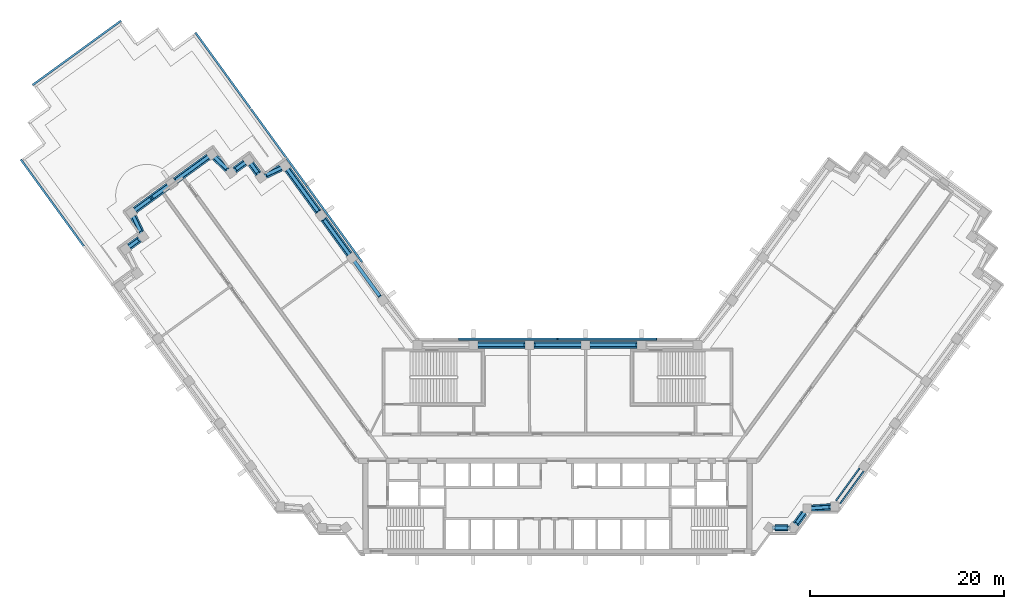
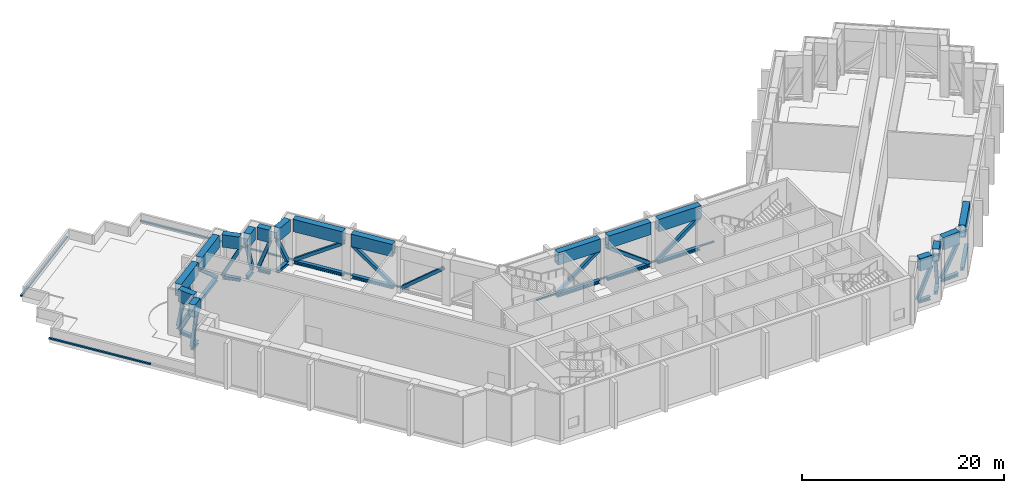
"""IFC4 building model written with IfcOpenShell, lengths in metres."""

from ifc_helpers import new_model, si_unit, direction, frame, origin, origin_2d, place, context, subcontext, project, spatial, rectangle, hollow_rectangle, i_section, extrude, material, material_profile, profile_set, type_object, element, aggregate, save


model = new_model("IFC4")

# Units and contexts
model_context = context("Model", 3, precision=1e-05, world=origin(), true_north=direction((0.0, 1.0)))
body_context = subcontext(model_context, "Body", "Model", "MODEL_VIEW")
ifc_project = project(units=[si_unit("LENGTHUNIT", "METRE"), si_unit("AREAUNIT", "SQUARE_METRE"), si_unit("VOLUMEUNIT", "CUBIC_METRE"), si_unit("PLANEANGLEUNIT", "RADIAN"), si_unit("MASSUNIT", "GRAM", prefix="KILO")], contexts=[model_context])

# Site, building, storey
site_placement = place(None, origin())
site = spatial("IfcSite", under=ifc_project, at=site_placement, CompositionType="ELEMENT")
building_placement = place(site_placement, origin())
building = spatial("IfcBuilding", under=site, at=building_placement, Name="Quipu Civic Tower", CompositionType="ELEMENT")
storey_1_placement = place(building_placement, frame((0.0, 0.0, 133.0)))
storey_1 = spatial("IfcBuildingStorey", under=building, at=storey_1_placement, Name="L31", CompositionType="ELEMENT", Elevation=133.0)

# Beams
ifc_material_1 = material(Name="Steel ASTM A992 Grade 50 (fy 345 MPa)", Category="steel")
ifc_material_profile_1 = material_profile(ifc_material_1, i_section(OverallWidth=0.39892578125, OverallDepth=0.393310546875, WebThickness=0.022705078125, FlangeThickness=0.03662109375, at=origin_2d()), Name="W360x287")
ifc_profile_set_1 = profile_set([ifc_material_profile_1], Name="Steel ASTM A992 Grade 50 (fy 345 MPa)")
beam_type_1 = type_object("IfcBeamType", Name="Belt truss bottom chord W360x287", PredefinedType="BEAM", material=ifc_profile_set_1)
beam_1_placement = place(storey_1_placement, frame((-21.411865234375, 19.807861328125, 0.296630859375), z_axis=(-0.587778073121, 0.809022210299, 0.0), x_axis=(-0.809022210299, -0.587778073121, 0.0)))
element("IfcBeam", 1, at=beam_1_placement, inside=storey_1, type_object=beam_type_1, Name="Truss bottom chord L31 W-IN-02 to W-IN-03", PredefinedType="BEAM", context=body_context, shape_type="SweptSolid", body=[
    extrude(i_section(OverallWidth=0.39892578125, OverallDepth=0.393310546875, WebThickness=0.022705078125, FlangeThickness=0.03662109375, at=origin_2d()), origin(), (0.0, 0.0, 1.0), 4.5),
])
beam_2_placement = place(storey_1_placement, frame((-24.585693359375, 24.1767578125, 0.296630859375), z_axis=(-0.58767640123, 0.809096068114, 0.0), x_axis=(-0.809096068114, -0.58767640123, 0.0)))
element("IfcBeam", 2, at=beam_2_placement, inside=storey_1, type_object=beam_type_1, Name="Truss bottom chord L31 W-IN-03 to T-Wi.0-W34", PredefinedType="BEAM", context=body_context, shape_type="SweptSolid", body=[
    extrude(i_section(OverallWidth=0.39892578125, OverallDepth=0.393310546875, WebThickness=0.022705078125, FlangeThickness=0.03662109375, at=origin_2d()), origin(), (0.0, 0.0, 1.0), 5.39404296875),
])
beam_3_placement = place(storey_1_placement, frame((-28.43310546875, 28.7080078125, 0.296630859375), z_axis=(-0.902567013751, -0.430549399823, 0.0), x_axis=(0.430549399823, -0.902567013751, 0.0)))
element("IfcBeam", 3, at=beam_3_placement, inside=storey_1, type_object=beam_type_1, Name="Truss bottom chord L31 T-Wi.0-W34 to T-Wi.1-W34", PredefinedType="BEAM", context=body_context, shape_type="SweptSolid", body=[
    extrude(i_section(OverallWidth=0.39892578125, OverallDepth=0.393310546875, WebThickness=0.022705078125, FlangeThickness=0.03662109375, at=origin_2d()), origin(), (0.0, 0.0, 1.0), 1.8310546875),
])
beam_4_placement = place(storey_1_placement, frame((-30.763916015625, 28.086181640625, 0.296630859375), z_axis=(-0.589187485143, 0.80799635355, 0.0), x_axis=(-0.80799635355, -0.589187485143, 0.0)))
element("IfcBeam", 4, at=beam_4_placement, inside=storey_1, type_object=beam_type_1, Name="Truss bottom chord L31 T-Wi.1-W34 to T-Wi.2-W34", PredefinedType="BEAM", context=body_context, shape_type="SweptSolid", body=[
    extrude(i_section(OverallWidth=0.39892578125, OverallDepth=0.393310546875, WebThickness=0.022705078125, FlangeThickness=0.03662109375, at=origin_2d()), origin(), (0.0, 0.0, 1.0), 1.2998046875),
])
beam_5_placement = place(storey_1_placement, frame((-32.1591796875, 29.23583984375, 0.296630859375), z_axis=(-0.809402563526, -0.587254195521, 0.0), x_axis=(0.587254195521, -0.809402563526, 0.0)))
element("IfcBeam", 5, at=beam_5_placement, inside=storey_1, type_object=beam_type_1, Name="Truss bottom chord L31 T-Wi.2-W34 to T-Wi.3-W34", PredefinedType="BEAM", context=body_context, shape_type="SweptSolid", body=[
    extrude(i_section(OverallWidth=0.39892578125, OverallDepth=0.393310546875, WebThickness=0.022705078125, FlangeThickness=0.03662109375, at=origin_2d()), origin(), (0.0, 0.0, 1.0), 1.2978515625),
])
beam_6_placement = place(storey_1_placement, frame((-33.90576171875, 28.524658203125, 0.296630859375), z_axis=(-0.725209203815, 0.688528583795, 0.0), x_axis=(-0.688528583795, -0.725209203815, 0.0)))
element("IfcBeam", 6, at=beam_6_placement, inside=storey_1, type_object=beam_type_1, Name="Truss bottom chord L31 T-Wi.3-W34 to T-Wi.4-W34", PredefinedType="BEAM", context=body_context, shape_type="SweptSolid", body=[
    extrude(i_section(OverallWidth=0.39892578125, OverallDepth=0.393310546875, WebThickness=0.022705078125, FlangeThickness=0.03662109375, at=origin_2d()), origin(), (0.0, 0.0, 1.0), 1.830322265625),
])
beam_7_placement = place(storey_1_placement, frame((-35.928955078125, 29.83544921875, 0.296630859375), z_axis=(-0.808969789945, -0.58785021813, 0.0), x_axis=(0.58785021813, -0.808969789945, 0.0)))
element("IfcBeam", 7, at=beam_7_placement, inside=storey_1, type_object=beam_type_1, Name="Truss bottom chord L31 T-Wi.4-W34 to TIP-W-01-W34", PredefinedType="BEAM", context=body_context, shape_type="SweptSolid", body=[
    extrude(i_section(OverallWidth=0.39892578125, OverallDepth=0.393310546875, WebThickness=0.022705078125, FlangeThickness=0.03662109375, at=origin_2d()), origin(), (0.0, 0.0, 1.0), 4.199951171875),
])
beam_8_placement = place(storey_1_placement, frame((-40.0546875, 26.83740234375, 0.296630859375), z_axis=(-0.808987489375, -0.587825860298, 0.0), x_axis=(0.587825860298, -0.808987489375, 0.0)))
element("IfcBeam", 8, at=beam_8_placement, inside=storey_1, type_object=beam_type_1, Name="Truss bottom chord L31 TIP-W-01-W34 to T-Wo.0-W34", PredefinedType="BEAM", context=body_context, shape_type="SweptSolid", body=[
    extrude(i_section(OverallWidth=0.39892578125, OverallDepth=0.393310546875, WebThickness=0.022705078125, FlangeThickness=0.03662109375, at=origin_2d()), origin(), (0.0, 0.0, 1.0), 4.1982421875),
])
beam_9_placement = place(storey_1_placement, frame((-43.6181640625, 23.691650390625, 0.296630859375), z_axis=(0.429892146977, -0.902880247856, 0.0), x_axis=(0.902880247856, 0.429892146977, 0.0)))
element("IfcBeam", 9, at=beam_9_placement, inside=storey_1, type_object=beam_type_1, Name="Truss bottom chord L31 T-Wo.0-W34 to T-Wo.1-W34", PredefinedType="BEAM", context=body_context, shape_type="SweptSolid", body=[
    extrude(i_section(OverallWidth=0.39892578125, OverallDepth=0.393310546875, WebThickness=0.022705078125, FlangeThickness=0.03662109375, at=origin_2d()), origin(), (0.0, 0.0, 1.0), 1.829833984375),
])
beam_10_placement = place(storey_1_placement, frame((-42.999267578125, 21.362060546875, 0.296630859375), z_axis=(-0.809393823939, -0.587266240959, 0.0), x_axis=(0.587266240959, -0.809393823939, 0.0)))
element("IfcBeam", 10, at=beam_10_placement, inside=storey_1, type_object=beam_type_1, Name="Truss bottom chord L31 T-Wo.1-W34 to T-Wo.2-W34", PredefinedType="BEAM", context=body_context, shape_type="SweptSolid", body=[
    extrude(i_section(OverallWidth=0.39892578125, OverallDepth=0.393310546875, WebThickness=0.022705078125, FlangeThickness=0.03662109375, at=origin_2d()), origin(), (0.0, 0.0, 1.0), 1.299072265625),
])
beam_11_placement = place(storey_1_placement, frame((22.34814453125, -8.31494140625, 0.296630859375), z_axis=(1.0, 0.0, 0.0), x_axis=(0.0, 1.0, 0.0)))
element("IfcBeam", 11, at=beam_11_placement, inside=storey_1, type_object=beam_type_1, Name="Truss bottom chord L31 J-Eo.1 to J-Eo.2", PredefinedType="BEAM", context=body_context, shape_type="SweptSolid", body=[
    extrude(i_section(OverallWidth=0.39892578125, OverallDepth=0.393310546875, WebThickness=0.022705078125, FlangeThickness=0.03662109375, at=origin_2d()), origin(), (0.0, 0.0, 1.0), 1.33056640625),
])
beam_12_placement = place(storey_1_placement, frame((24.499755859375, -7.951171875, 0.296630859375), z_axis=(0.588433824377, 0.808545381738, 0.0), x_axis=(-0.808545381738, 0.588433824377, 0.0)))
element("IfcBeam", 12, at=beam_12_placement, inside=storey_1, type_object=beam_type_1, Name="Truss bottom chord L31 J-Eo.2 to J-Eo.3", PredefinedType="BEAM", context=body_context, shape_type="SweptSolid", body=[
    extrude(i_section(OverallWidth=0.39892578125, OverallDepth=0.393310546875, WebThickness=0.022705078125, FlangeThickness=0.03662109375, at=origin_2d()), origin(), (0.0, 0.0, 1.0), 1.439697265625),
])
beam_13_placement = place(storey_1_placement, frame((26.12451171875, -6.304443359375, 0.296630859375), z_axis=(0.997365981169, 0.072533437859, 0.0), x_axis=(-0.072533437859, 0.997365981169, 0.0)))
element("IfcBeam", 13, at=beam_13_placement, inside=storey_1, type_object=beam_type_1, Name="Truss bottom chord L31 J-Eo.3 to J-Eo.4", PredefinedType="BEAM", context=body_context, shape_type="SweptSolid", body=[
    extrude(i_section(OverallWidth=0.39892578125, OverallDepth=0.393310546875, WebThickness=0.022705078125, FlangeThickness=0.03662109375, at=origin_2d()), origin(), (0.0, 0.0, 1.0), 1.95556640625),
])
beam_14_placement = place(storey_1_placement, frame((28.85205078125, -5.679931640625, 0.296630859375), z_axis=(0.587750565781, 0.809042194464, 0.0), x_axis=(-0.809042194464, 0.587750565781, 0.0)))
element("IfcBeam", 14, at=beam_14_placement, inside=storey_1, type_object=beam_type_1, Name="Truss bottom chord L31 J-Eo.4 to E-OUT-01", PredefinedType="BEAM", context=body_context, shape_type="SweptSolid", body=[
    extrude(i_section(OverallWidth=0.39892578125, OverallDepth=0.393310546875, WebThickness=0.022705078125, FlangeThickness=0.03662109375, at=origin_2d()), origin(), (0.0, 0.0, 1.0), 4.13720703125),
])
for number, where, z_axis, x_axis, name in (
    (15, (8.18701171875, 10.5, 0.296630859375), (-1.0, 0.0, 0.0), (0.0, -1.0, 0.0), "Truss bottom chord L31 FRONT-01 to FRONT-02"),
    (16, (2.428955078125, 10.5, 0.296630859375), (-1.0, 0.0, 0.0), (0.0, -1.0, 0.0), "Truss bottom chord L31 FRONT-02 to FRONT-03"),
    (17, (-3.3291015625, 10.5, 0.296630859375), (-1.0, 0.0, 0.0), (0.0, -1.0, 0.0), "Truss bottom chord L31 FRONT-03 to FRONT-04"),
):
    element("IfcBeam", number, at=place(storey_1_placement, frame(where, z_axis=z_axis, x_axis=x_axis)), inside=storey_1, type_object=beam_type_1, Name=name, PredefinedType="BEAM", context=body_context, shape_type="SweptSolid", body=[
        extrude(i_section(OverallWidth=0.39892578125, OverallDepth=0.393310546875, WebThickness=0.022705078125, FlangeThickness=0.03662109375, at=origin_2d()), origin(), (0.0, 0.0, 1.0), 4.85791015625),
    ])

# Members
ifc_material_2 = material(Name="Steel ASTM A500 Grade C (fy 345 MPa)", Category="steel")
ifc_material_profile_2 = material_profile(ifc_material_2, hollow_rectangle(XDim=0.355712890625, YDim=0.355712890625, WallThickness=0.015869140625, at=origin_2d()), Name="HSS356x356x16")
ifc_profile_set_2 = profile_set([ifc_material_profile_2], Name="Steel ASTM A500 Grade C (fy 345 MPa)")
member_type_1 = type_object("IfcMemberType", Name="Belt truss diagonal HSS356x356x16", PredefinedType="BRACE", material=ifc_profile_set_2)
member_1_placement = place(storey_1_placement, frame((-18.238037109375, 15.43896484375, 4.10009765625), z_axis=(-0.45858819899, 0.631304884292, -0.625420663886), x_axis=(-0.809066749701, -0.587716763865, 0.0)))
element("IfcMember", 18, at=member_1_placement, inside=storey_1, type_object=member_type_1, Name="Truss diagonal L31 W-IN-01 to W-IN-02", PredefinedType="BRACE", context=body_context, shape_type="SweptSolid", body=[
    extrude(hollow_rectangle(XDim=0.355712890625, YDim=0.355712890625, WallThickness=0.015869140625, at=origin_2d()), origin(), (0.0, 0.0, 1.0), 5.767333984375),
])
member_2_placement = place(storey_1_placement, frame((-21.411865234375, 19.807861328125, 0.4931640625), z_axis=(-0.458633884018, 0.631267166188, 0.625425235599), x_axis=(-0.809022210299, -0.587778073121, 0.0)))
element("IfcMember", 19, at=member_2_placement, inside=storey_1, type_object=member_type_1, Name="Truss diagonal L31 W-IN-02 to W-IN-03", PredefinedType="BRACE", context=body_context, shape_type="SweptSolid", body=[
    extrude(hollow_rectangle(XDim=0.355712890625, YDim=0.355712890625, WallThickness=0.015869140625, at=origin_2d()), origin(), (0.0, 0.0, 1.0), 5.76708984375),
])
member_3_placement = place(storey_1_placement, frame((-24.585693359375, 24.1767578125, 4.10009765625), z_axis=(-0.488518595141, 0.672578435516, -0.555866737879), x_axis=(-0.809096068114, -0.58767640123, 0.0)))
element("IfcMember", 20, at=member_3_placement, inside=storey_1, type_object=member_type_1, Name="Truss diagonal L31 W-IN-03 to T-Wi.0-W34", PredefinedType="BRACE", context=body_context, shape_type="SweptSolid", body=[
    extrude(hollow_rectangle(XDim=0.355712890625, YDim=0.355712890625, WallThickness=0.015869140625, at=origin_2d()), origin(), (0.0, 0.0, 1.0), 6.48876953125),
])
member_4_placement = place(storey_1_placement, frame((-28.42626953125, 28.711181640625, 0.4931640625), z_axis=(-0.411229108641, -0.196124651813, 0.89018298184), x_axis=(0.430472524882, -0.902603681203, 0.0)))
element("IfcMember", 21, at=member_4_placement, inside=storey_1, type_object=member_type_1, Name="Truss diagonal L31 T-Wi.0-W34 to T-Wi.1-W34", PredefinedType="BRACE", context=body_context, shape_type="SweptSolid", body=[
    extrude(hollow_rectangle(XDim=0.355712890625, YDim=0.355712890625, WallThickness=0.015869140625, at=origin_2d()), origin(), (0.0, 0.0, 1.0), 4.052001953125),
])
member_5_placement = place(storey_1_placement, frame((-30.763916015625, 28.086181640625, 4.10009765625), z_axis=(-0.199756633087, 0.273941037788, -0.940772871289), x_axis=(-0.80799635355, -0.589187485143, 0.0)))
element("IfcMember", 22, at=member_5_placement, inside=storey_1, type_object=member_type_1, Name="Truss diagonal L31 T-Wi.1-W34 to T-Wi.2-W34", PredefinedType="BRACE", context=body_context, shape_type="SweptSolid", body=[
    extrude(hollow_rectangle(XDim=0.355712890625, YDim=0.355712890625, WallThickness=0.015869140625, at=origin_2d()), origin(), (0.0, 0.0, 1.0), 3.833984375),
])
member_6_placement = place(storey_1_placement, frame((-32.1591796875, 29.23583984375, 0.4931640625), z_axis=(-0.274052102613, -0.19883585042, 0.940935571461), x_axis=(0.587254195521, -0.809402563526, 0.0)))
element("IfcMember", 23, at=member_6_placement, inside=storey_1, type_object=member_type_1, Name="Truss diagonal L31 T-Wi.2-W34 to T-Wi.3-W34", PredefinedType="BRACE", context=body_context, shape_type="SweptSolid", body=[
    extrude(hollow_rectangle(XDim=0.355712890625, YDim=0.355712890625, WallThickness=0.015869140625, at=origin_2d()), origin(), (0.0, 0.0, 1.0), 3.833251953125),
])
member_7_placement = place(storey_1_placement, frame((-33.900390625, 28.519287109375, 4.10009765625), z_axis=(-0.330327629886, 0.31363650375, -0.890233565111), x_axis=(-0.688547790633, -0.725190967963, 0.0)))
element("IfcMember", 24, at=member_7_placement, inside=storey_1, type_object=member_type_1, Name="Truss diagonal L31 T-Wi.3-W34 to T-Wi.4-W34", PredefinedType="BRACE", context=body_context, shape_type="SweptSolid", body=[
    extrude(hollow_rectangle(XDim=0.355712890625, YDim=0.355712890625, WallThickness=0.015869140625, at=origin_2d()), origin(), (0.0, 0.0, 1.0), 4.0517578125),
])
member_8_placement = place(storey_1_placement, frame((-35.928955078125, 29.83544921875, 0.4931640625), z_axis=(-0.613717209349, -0.445966956826, 0.651509524389), x_axis=(0.58785021813, -0.808969789945, 0.0)))
element("IfcMember", 25, at=member_8_placement, inside=storey_1, type_object=member_type_1, Name="Truss diagonal L31 T-Wi.4-W34 to TIP-W-01-W34", PredefinedType="BRACE", context=body_context, shape_type="SweptSolid", body=[
    extrude(hollow_rectangle(XDim=0.355712890625, YDim=0.355712890625, WallThickness=0.015869140625, at=origin_2d()), origin(), (0.0, 0.0, 1.0), 5.536376953125),
])
member_9_placement = place(storey_1_placement, frame((-40.0546875, 26.83740234375, 0.4931640625), z_axis=(-0.406929824426, -0.295661778702, 0.864287122782), x_axis=(0.587798206237, -0.809007582625, 0.0)))
element("IfcMember", 26, at=member_9_placement, inside=storey_1, type_object=member_type_1, Name="Truss diagonal L31 TIP-W-01-W34 to T-Wo.0-W34 half 1", PredefinedType="BRACE", context=body_context, shape_type="SweptSolid", body=[
    extrude(hollow_rectangle(XDim=0.355712890625, YDim=0.355712890625, WallThickness=0.015869140625, at=origin_2d()), origin(), (0.0, 0.0, 1.0), 4.17333984375),
])
member_10_placement = place(storey_1_placement, frame((-43.450927734375, 24.36962890625, 0.4931640625), z_axis=(0.40688100935, 0.295668816859, 0.864307696927), x_axis=(-0.587853516274, 0.808967393289, 0.0)))
element("IfcMember", 27, at=member_10_placement, inside=storey_1, type_object=member_type_1, Name="Truss diagonal L31 TIP-W-01-W34 to T-Wo.0-W34 half 2", PredefinedType="BRACE", context=body_context, shape_type="SweptSolid", body=[
    extrude(hollow_rectangle(XDim=0.355712890625, YDim=0.355712890625, WallThickness=0.015869140625, at=origin_2d()), origin(), (0.0, 0.0, 1.0), 4.173095703125),
])
member_11_placement = place(storey_1_placement, frame((-43.62158203125, 23.69873046875, 0.4931640625), z_axis=(0.195781852054, -0.411208174335, 0.8902681078), x_axis=(0.902887419393, 0.429877084644, 0.0)))
element("IfcMember", 28, at=member_11_placement, inside=storey_1, type_object=member_type_1, Name="Truss diagonal L31 T-Wo.0-W34 to T-Wo.1-W34", PredefinedType="BRACE", context=body_context, shape_type="SweptSolid", body=[
    extrude(hollow_rectangle(XDim=0.355712890625, YDim=0.355712890625, WallThickness=0.015869140625, at=origin_2d()), origin(), (0.0, 0.0, 1.0), 4.051513671875),
])
member_12_placement = place(storey_1_placement, frame((-42.999267578125, 21.362060546875, 4.10009765625), z_axis=(-0.274277275817, -0.199005453199, -0.94083410098), x_axis=(0.587266240959, -0.809393823939, 0.0)))
element("IfcMember", 29, at=member_12_placement, inside=storey_1, type_object=member_type_1, Name="Truss diagonal L31 T-Wo.1-W34 to T-Wo.2-W34", PredefinedType="BRACE", context=body_context, shape_type="SweptSolid", body=[
    extrude(hollow_rectangle(XDim=0.355712890625, YDim=0.355712890625, WallThickness=0.015869140625, at=origin_2d()), origin(), (0.0, 0.0, 1.0), 3.833740234375),
])
member_13_placement = place(storey_1_placement, frame((22.24169921875, -8.31494140625, 0.4931640625), z_axis=(0.393355935662, 0.0, 0.919386266963), x_axis=(0.0, 1.0, 0.0)))
element("IfcMember", 30, at=member_13_placement, inside=storey_1, type_object=member_type_1, Name="Truss diagonal L31 J-Eo.1 to J-Eo.2", PredefinedType="BRACE", context=body_context, shape_type="SweptSolid", body=[
    extrude(hollow_rectangle(XDim=0.355712890625, YDim=0.355712890625, WallThickness=0.015869140625, at=origin_2d()), origin(), (0.0, 0.0, 1.0), 3.923095703125),
])
member_14_placement = place(storey_1_placement, frame((24.499755859375, -7.951171875, 4.10009765625), z_axis=(0.231859394097, 0.318581152984, -0.919101338446), x_axis=(-0.808538039962, 0.58844391231, 0.0)))
element("IfcMember", 31, at=member_14_placement, inside=storey_1, type_object=member_type_1, Name="Truss diagonal L31 J-Eo.2 to J-Eo.3", PredefinedType="BRACE", context=body_context, shape_type="SweptSolid", body=[
    extrude(hollow_rectangle(XDim=0.355712890625, YDim=0.355712890625, WallThickness=0.015869140625, at=origin_2d()), origin(), (0.0, 0.0, 1.0), 3.92431640625),
])
member_15_placement = place(storey_1_placement, frame((26.123291015625, -6.304443359375, 0.4931640625), z_axis=(0.475833785617, 0.034561748899, 0.878855900576), x_axis=(-0.072443235904, 0.997372537005, 0.0)))
element("IfcMember", 32, at=member_15_placement, inside=storey_1, type_object=member_type_1, Name="Truss diagonal L31 J-Eo.3 to J-Eo.4", PredefinedType="BRACE", context=body_context, shape_type="SweptSolid", body=[
    extrude(hollow_rectangle(XDim=0.355712890625, YDim=0.355712890625, WallThickness=0.015869140625, at=origin_2d()), origin(), (0.0, 0.0, 1.0), 4.10400390625),
])
for number, where, z_axis, x_axis, name in (
    (33, (8.18701171875, 10.5, 4.10009765625), (-0.80288620721, 0.0, -0.596132316078), (0.0, -1.0, 0.0), "Truss diagonal L31 FRONT-01 to FRONT-02"),
    (34, (2.428955078125, 10.5, 0.4931640625), (-0.80288620721, 0.0, 0.596132316078), (0.0, -1.0, 0.0), "Truss diagonal L31 FRONT-02 to FRONT-03"),
    (35, (-3.3291015625, 10.5, 4.10009765625), (-0.80288620721, 0.0, -0.596132316078), (0.0, -1.0, 0.0), "Truss diagonal L31 FRONT-03 to FRONT-04"),
):
    element("IfcMember", number, at=place(storey_1_placement, frame(where, z_axis=z_axis, x_axis=x_axis)), inside=storey_1, type_object=member_type_1, Name=name, PredefinedType="BRACE", context=body_context, shape_type="SweptSolid", body=[
        extrude(hollow_rectangle(XDim=0.355712890625, YDim=0.355712890625, WallThickness=0.015869140625, at=origin_2d()), origin(), (0.0, 0.0, 1.0), 6.050537109375),
    ])

# Beams
ifc_material_3 = material(Name="Steel ASTM A572 Grade 50 (fy 345 MPa)", Category="steel")
ifc_material_profile_3 = material_profile(ifc_material_3, hollow_rectangle(XDim=0.699951171875, YDim=1.5, WallThickness=0.050048828125, at=origin_2d()), Name="BX1500x700x50")
ifc_profile_set_3 = profile_set([ifc_material_profile_3], Name="Steel ASTM A572 Grade 50 (fy 345 MPa)")
beam_type_2 = type_object("IfcBeamType", Name="Belt truss top chord BX1500x700x50", PredefinedType="BEAM", material=ifc_profile_set_3)
beam_15_placement = place(storey_1_placement, frame((-21.411865234375, 19.807861328125, 4.85009765625), z_axis=(-0.587778073121, 0.809022210299, 0.0), x_axis=(-0.809022210299, -0.587778073121, 0.0)))
element("IfcBeam", 36, at=beam_15_placement, inside=storey_1, type_object=beam_type_2, Name="Truss top chord L31 W-IN-02 to W-IN-03", PredefinedType="BEAM", context=body_context, shape_type="SweptSolid", body=[
    extrude(hollow_rectangle(XDim=0.699951171875, YDim=1.5, WallThickness=0.050048828125, at=origin_2d()), origin(), (0.0, 0.0, 1.0), 4.5),
])
beam_16_placement = place(storey_1_placement, frame((-24.585693359375, 24.1767578125, 4.85009765625), z_axis=(-0.58767640123, 0.809096068114, 0.0), x_axis=(-0.809096068114, -0.58767640123, 0.0)))
element("IfcBeam", 37, at=beam_16_placement, inside=storey_1, type_object=beam_type_2, Name="Truss top chord L31 W-IN-03 to T-Wi.0-W34", PredefinedType="BEAM", context=body_context, shape_type="SweptSolid", body=[
    extrude(hollow_rectangle(XDim=0.699951171875, YDim=1.5, WallThickness=0.050048828125, at=origin_2d()), origin(), (0.0, 0.0, 1.0), 5.39404296875),
])
beam_17_placement = place(storey_1_placement, frame((-28.43310546875, 28.7080078125, 4.85009765625), z_axis=(-0.902567013751, -0.430549399823, 0.0), x_axis=(0.430549399823, -0.902567013751, 0.0)))
element("IfcBeam", 38, at=beam_17_placement, inside=storey_1, type_object=beam_type_2, Name="Truss top chord L31 T-Wi.0-W34 to T-Wi.1-W34", PredefinedType="BEAM", context=body_context, shape_type="SweptSolid", body=[
    extrude(hollow_rectangle(XDim=0.699951171875, YDim=1.5, WallThickness=0.050048828125, at=origin_2d()), origin(), (0.0, 0.0, 1.0), 1.8310546875),
])
beam_18_placement = place(storey_1_placement, frame((-30.763916015625, 28.086181640625, 4.85009765625), z_axis=(-0.589187485143, 0.80799635355, 0.0), x_axis=(-0.80799635355, -0.589187485143, 0.0)))
element("IfcBeam", 39, at=beam_18_placement, inside=storey_1, type_object=beam_type_2, Name="Truss top chord L31 T-Wi.1-W34 to T-Wi.2-W34", PredefinedType="BEAM", context=body_context, shape_type="SweptSolid", body=[
    extrude(hollow_rectangle(XDim=0.699951171875, YDim=1.5, WallThickness=0.050048828125, at=origin_2d()), origin(), (0.0, 0.0, 1.0), 1.2998046875),
])
beam_19_placement = place(storey_1_placement, frame((-32.1591796875, 29.23583984375, 4.85009765625), z_axis=(-0.809402563526, -0.587254195521, 0.0), x_axis=(0.587254195521, -0.809402563526, 0.0)))
element("IfcBeam", 40, at=beam_19_placement, inside=storey_1, type_object=beam_type_2, Name="Truss top chord L31 T-Wi.2-W34 to T-Wi.3-W34", PredefinedType="BEAM", context=body_context, shape_type="SweptSolid", body=[
    extrude(hollow_rectangle(XDim=0.699951171875, YDim=1.5, WallThickness=0.050048828125, at=origin_2d()), origin(), (0.0, 0.0, 1.0), 1.2978515625),
])
beam_20_placement = place(storey_1_placement, frame((-33.90576171875, 28.524658203125, 4.85009765625), z_axis=(-0.725209203815, 0.688528583795, 0.0), x_axis=(-0.688528583795, -0.725209203815, 0.0)))
element("IfcBeam", 41, at=beam_20_placement, inside=storey_1, type_object=beam_type_2, Name="Truss top chord L31 T-Wi.3-W34 to T-Wi.4-W34", PredefinedType="BEAM", context=body_context, shape_type="SweptSolid", body=[
    extrude(hollow_rectangle(XDim=0.699951171875, YDim=1.5, WallThickness=0.050048828125, at=origin_2d()), origin(), (0.0, 0.0, 1.0), 1.830322265625),
])
beam_21_placement = place(storey_1_placement, frame((-35.928955078125, 29.83544921875, 4.85009765625), z_axis=(-0.808969789945, -0.58785021813, 0.0), x_axis=(0.58785021813, -0.808969789945, 0.0)))
element("IfcBeam", 42, at=beam_21_placement, inside=storey_1, type_object=beam_type_2, Name="Truss top chord L31 T-Wi.4-W34 to TIP-W-01-W34", PredefinedType="BEAM", context=body_context, shape_type="SweptSolid", body=[
    extrude(hollow_rectangle(XDim=0.699951171875, YDim=1.5, WallThickness=0.050048828125, at=origin_2d()), origin(), (0.0, 0.0, 1.0), 4.199951171875),
])
beam_22_placement = place(storey_1_placement, frame((-40.0546875, 26.83740234375, 4.85009765625), z_axis=(-0.808987489375, -0.587825860298, 0.0), x_axis=(0.587825860298, -0.808987489375, 0.0)))
element("IfcBeam", 43, at=beam_22_placement, inside=storey_1, type_object=beam_type_2, Name="Truss top chord L31 TIP-W-01-W34 to T-Wo.0-W34", PredefinedType="BEAM", context=body_context, shape_type="SweptSolid", body=[
    extrude(hollow_rectangle(XDim=0.699951171875, YDim=1.5, WallThickness=0.050048828125, at=origin_2d()), origin(), (0.0, 0.0, 1.0), 4.1982421875),
])
beam_23_placement = place(storey_1_placement, frame((-43.6181640625, 23.691650390625, 4.85009765625), z_axis=(0.429892146977, -0.902880247856, 0.0), x_axis=(0.902880247856, 0.429892146977, 0.0)))
element("IfcBeam", 44, at=beam_23_placement, inside=storey_1, type_object=beam_type_2, Name="Truss top chord L31 T-Wo.0-W34 to T-Wo.1-W34", PredefinedType="BEAM", context=body_context, shape_type="SweptSolid", body=[
    extrude(hollow_rectangle(XDim=0.699951171875, YDim=1.5, WallThickness=0.050048828125, at=origin_2d()), origin(), (0.0, 0.0, 1.0), 1.829833984375),
])
beam_24_placement = place(storey_1_placement, frame((-42.999267578125, 21.362060546875, 4.85009765625), z_axis=(-0.809393823939, -0.587266240959, 0.0), x_axis=(0.587266240959, -0.809393823939, 0.0)))
element("IfcBeam", 45, at=beam_24_placement, inside=storey_1, type_object=beam_type_2, Name="Truss top chord L31 T-Wo.1-W34 to T-Wo.2-W34", PredefinedType="BEAM", context=body_context, shape_type="SweptSolid", body=[
    extrude(hollow_rectangle(XDim=0.699951171875, YDim=1.5, WallThickness=0.050048828125, at=origin_2d()), origin(), (0.0, 0.0, 1.0), 1.299072265625),
])
beam_25_placement = place(storey_1_placement, frame((22.34814453125, -8.31494140625, 4.85009765625), z_axis=(1.0, 0.0, 0.0), x_axis=(0.0, 1.0, 0.0)))
element("IfcBeam", 46, at=beam_25_placement, inside=storey_1, type_object=beam_type_2, Name="Truss top chord L31 J-Eo.1 to J-Eo.2", PredefinedType="BEAM", context=body_context, shape_type="SweptSolid", body=[
    extrude(hollow_rectangle(XDim=0.699951171875, YDim=1.5, WallThickness=0.050048828125, at=origin_2d()), origin(), (0.0, 0.0, 1.0), 1.33056640625),
])
beam_26_placement = place(storey_1_placement, frame((24.499755859375, -7.951171875, 4.85009765625), z_axis=(0.588433824377, 0.808545381738, 0.0), x_axis=(-0.808545381738, 0.588433824377, 0.0)))
element("IfcBeam", 47, at=beam_26_placement, inside=storey_1, type_object=beam_type_2, Name="Truss top chord L31 J-Eo.2 to J-Eo.3", PredefinedType="BEAM", context=body_context, shape_type="SweptSolid", body=[
    extrude(hollow_rectangle(XDim=0.699951171875, YDim=1.5, WallThickness=0.050048828125, at=origin_2d()), origin(), (0.0, 0.0, 1.0), 1.439697265625),
])
beam_27_placement = place(storey_1_placement, frame((26.12451171875, -6.304443359375, 4.85009765625), z_axis=(0.997365981169, 0.072533437859, 0.0), x_axis=(-0.072533437859, 0.997365981169, 0.0)))
element("IfcBeam", 48, at=beam_27_placement, inside=storey_1, type_object=beam_type_2, Name="Truss top chord L31 J-Eo.3 to J-Eo.4", PredefinedType="BEAM", context=body_context, shape_type="SweptSolid", body=[
    extrude(hollow_rectangle(XDim=0.699951171875, YDim=1.5, WallThickness=0.050048828125, at=origin_2d()), origin(), (0.0, 0.0, 1.0), 1.95556640625),
])
beam_28_placement = place(storey_1_placement, frame((28.85205078125, -5.679931640625, 4.85009765625), z_axis=(0.587750565781, 0.809042194464, 0.0), x_axis=(-0.809042194464, 0.587750565781, 0.0)))
element("IfcBeam", 49, at=beam_28_placement, inside=storey_1, type_object=beam_type_2, Name="Truss top chord L31 J-Eo.4 to E-OUT-01", PredefinedType="BEAM", context=body_context, shape_type="SweptSolid", body=[
    extrude(hollow_rectangle(XDim=0.699951171875, YDim=1.5, WallThickness=0.050048828125, at=origin_2d()), origin(), (0.0, 0.0, 1.0), 4.13720703125),
])
for number, where, z_axis, x_axis, name in (
    (50, (8.18701171875, 10.5, 4.85009765625), (-1.0, 0.0, 0.0), (0.0, -1.0, 0.0), "Truss top chord L31 FRONT-01 to FRONT-02"),
    (51, (2.428955078125, 10.5, 4.85009765625), (-1.0, 0.0, 0.0), (0.0, -1.0, 0.0), "Truss top chord L31 FRONT-02 to FRONT-03"),
    (52, (-3.3291015625, 10.5, 4.85009765625), (-1.0, 0.0, 0.0), (0.0, -1.0, 0.0), "Truss top chord L31 FRONT-03 to FRONT-04"),
):
    element("IfcBeam", number, at=place(storey_1_placement, frame(where, z_axis=z_axis, x_axis=x_axis)), inside=storey_1, type_object=beam_type_2, Name=name, PredefinedType="BEAM", context=body_context, shape_type="SweptSolid", body=[
        extrude(hollow_rectangle(XDim=0.699951171875, YDim=1.5, WallThickness=0.050048828125, at=origin_2d()), origin(), (0.0, 0.0, 1.0), 4.85791015625),
    ])

# Storey
storey_2_placement = place(building_placement, frame((0.0, 0.0, 125.0)))
storey_2 = spatial("IfcBuildingStorey", under=building, at=storey_2_placement, Name="L29", CompositionType="ELEMENT", Elevation=125.0)

# Curtain wall, members
ifc_material_4 = material(Name="Insulated glass unit", Category="glass")
curtain_wall_type = type_object("IfcCurtainWallType", Name="Office curtain wall CW1", PredefinedType="NOTDEFINED", material=ifc_material_4)
curtain_wall_1_placement = place(storey_2_placement, origin())
curtain_wall_1 = element("IfcCurtainWall", 53, at=curtain_wall_1_placement, inside=storey_2, type_object=curtain_wall_type, Name="Office curtain wall CW1 L28 run 1", PredefinedType="NOTDEFINED")
ifc_material_5 = material(Name="Anodised aluminium", Category="aluminium")
ifc_material_profile_4 = material_profile(ifc_material_5, rectangle(XDim=0.199951171875, YDim=0.159912109375, at=origin_2d()), Name="RECT 200x160")
ifc_profile_set_4 = profile_set([ifc_material_profile_4], Name="Anodised aluminium")
member_type_2 = type_object("IfcMemberType", Name="Transom CW1", PredefinedType="USERDEFINED", material=ifc_profile_set_4)
member_16_placement = place(storey_1_placement, frame((-20.105224609375, 19.029296875, 0.0), z_axis=(-0.587793764301, 0.80901080997, 0.0), x_axis=(-0.80901080997, -0.587793764301, 0.0)))
member_16 = element("IfcMember", 54, at=member_16_placement, inside=storey_1, type_object=member_type_2, Name="CW1 transom 2.4", ObjectType="TRANSOM", PredefinedType="USERDEFINED", context=body_context, shape_type="SweptSolid", body=[
    extrude(rectangle(XDim=0.199951171875, YDim=0.159912109375, at=origin_2d()), origin(), (0.0, 0.0, 1.0), 9.680908203125),
])
member_17_placement = place(storey_1_placement, frame((-25.842529296875, 26.926025390625, 0.0), z_axis=(-0.58778177227, 0.809019522748, 0.0), x_axis=(-0.809019522748, -0.58778177227, 0.0)))
member_17 = element("IfcMember", 55, at=member_17_placement, inside=storey_1, type_object=member_type_2, Name="CW1 transom 3.4", ObjectType="TRANSOM", PredefinedType="USERDEFINED", context=body_context, shape_type="SweptSolid", body=[
    extrude(rectangle(XDim=0.199951171875, YDim=0.159912109375, at=origin_2d()), origin(), (0.0, 0.0, 1.0), 9.68115234375),
])
member_18_placement = place(storey_1_placement, frame((-31.580078125, 34.822998046875, 0.0), z_axis=(-0.587775627857, 0.809023986849, 0.0), x_axis=(-0.809023986849, -0.587775627857, 0.0)))
member_18 = element("IfcMember", 56, at=member_18_placement, inside=storey_1, type_object=member_type_2, Name="CW1 transom 4.4", ObjectType="TRANSOM", PredefinedType="USERDEFINED", context=body_context, shape_type="SweptSolid", body=[
    extrude(rectangle(XDim=0.199951171875, YDim=0.159912109375, at=origin_2d()), origin(), (0.0, 0.0, 1.0), 9.64111328125),
])
aggregate(curtain_wall_1, [member_16, member_17, member_18])

# Curtain wall, member
curtain_wall_2_placement = place(storey_2_placement, origin())
curtain_wall_2 = element("IfcCurtainWall", 57, at=curtain_wall_2_placement, inside=storey_2, type_object=curtain_wall_type, Name="Office curtain wall CW1 L28 run 6", PredefinedType="NOTDEFINED")
member_19_placement = place(storey_1_placement, frame((-44.9013671875, 43.8349609375, 0.0), z_axis=(-0.809032792449, -0.587763507495, 0.0), x_axis=(0.587763507495, -0.809032792449, 0.0)))
member_19 = element("IfcMember", 58, at=member_19_placement, inside=storey_1, type_object=member_type_2, Name="CW1 transom 1.4", ObjectType="TRANSOM", PredefinedType="USERDEFINED", context=body_context, shape_type="SweptSolid", body=[
    extrude(rectangle(XDim=0.199951171875, YDim=0.159912109375, at=origin_2d()), origin(), (0.0, 0.0, 1.0), 11.239990234375),
])
aggregate(curtain_wall_2, [member_19])

curtain_wall_3_placement = place(storey_2_placement, origin())
curtain_wall_3 = element("IfcCurtainWall", 59, at=curtain_wall_3_placement, inside=storey_2, type_object=curtain_wall_type, Name="Office curtain wall CW1 L28 run 11", PredefinedType="NOTDEFINED")
member_20_placement = place(storey_1_placement, frame((-55.20703125, 29.573974609375, 0.0), z_axis=(0.587779179422, -0.809021406539, 0.0), x_axis=(0.809021406539, 0.587779179422, 0.0)))
member_20 = element("IfcMember", 60, at=member_20_placement, inside=storey_1, type_object=member_type_2, Name="CW1 transom 1.4", ObjectType="TRANSOM", PredefinedType="USERDEFINED", context=body_context, shape_type="SweptSolid", body=[
    extrude(rectangle(XDim=0.199951171875, YDim=0.159912109375, at=origin_2d()), origin(), (0.0, 0.0, 1.0), 11.02294921875),
])
aggregate(curtain_wall_3, [member_20])

# Curtain wall, members
curtain_wall_4_placement = place(storey_2_placement, origin())
curtain_wall_4 = element("IfcCurtainWall", 61, at=curtain_wall_4_placement, inside=storey_2, type_object=curtain_wall_type, Name="Office curtain wall CW1 L28 run 33", PredefinedType="NOTDEFINED")
member_21_placement = place(storey_1_placement, frame((10.18359375, 11.10009765625, 0.0), z_axis=(-1.0, 0.0, 0.0), x_axis=(0.0, -1.0, 0.0)))
member_21 = element("IfcMember", 62, at=member_21_placement, inside=storey_1, type_object=member_type_2, Name="CW1 transom 1.4", ObjectType="TRANSOM", PredefinedType="USERDEFINED", context=body_context, shape_type="SweptSolid", body=[
    extrude(rectangle(XDim=0.199951171875, YDim=0.159912109375, at=origin_2d()), origin(), (0.0, 0.0, 1.0), 10.1435546875),
])
member_22_placement = place(storey_1_placement, frame((-0.0400390625, 11.10009765625, 0.0), z_axis=(-1.0, 0.0, 0.0), x_axis=(0.0, -1.0, 0.0)))
member_22 = element("IfcMember", 63, at=member_22_placement, inside=storey_1, type_object=member_type_2, Name="CW1 transom 2.4", ObjectType="TRANSOM", PredefinedType="USERDEFINED", context=body_context, shape_type="SweptSolid", body=[
    extrude(rectangle(XDim=0.199951171875, YDim=0.159912109375, at=origin_2d()), origin(), (0.0, 0.0, 1.0), 10.1435546875),
])
aggregate(curtain_wall_4, [member_21, member_22])

save(model, "model.ifc")
